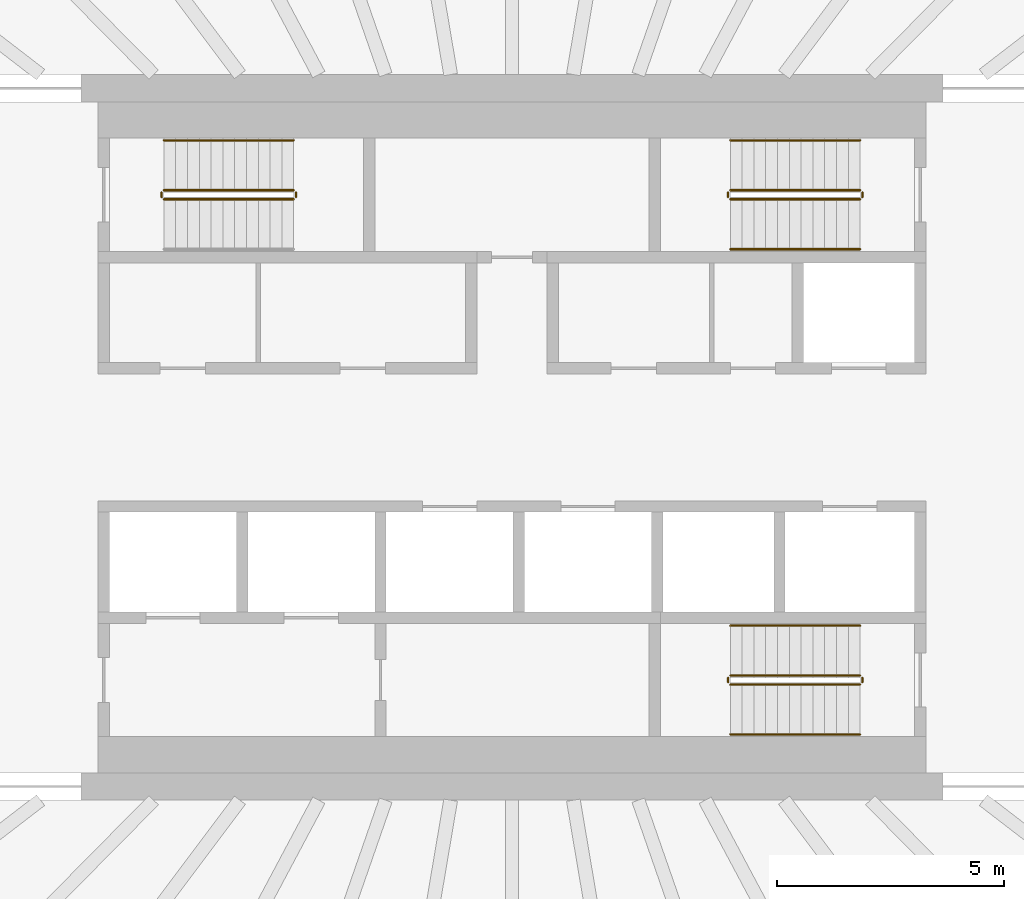
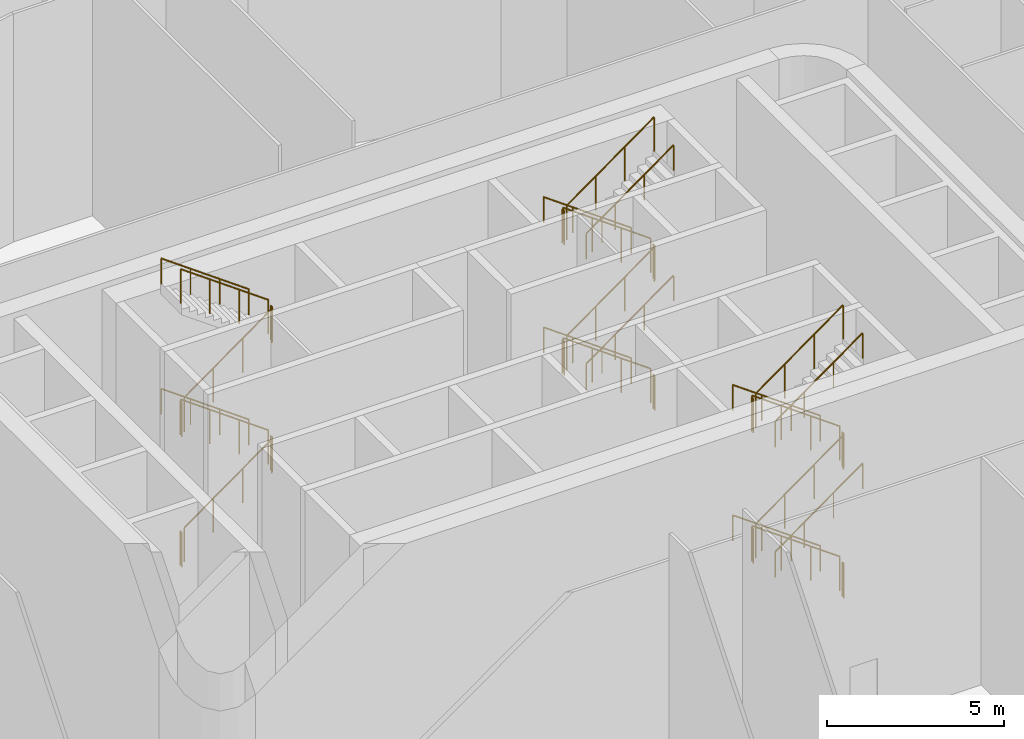
# One storey, part 30 of 35: 34 railings.
"""IFC4 building model written with IfcOpenShell, lengths in metres."""

from ifc_helpers import new_model, si_unit, direction, frame, origin, origin_2d, place, context, subcontext, project, spatial, circle, extrude, material, type_object, element, save


model = new_model("IFC4")

# Units and contexts
model_context = context("Model", 3, precision=1e-05, world=origin(), true_north=direction((0.0, 1.0)))
body_context = subcontext(model_context, "Body", "Model", "MODEL_VIEW")
ifc_project = project(units=[si_unit("LENGTHUNIT", "METRE"), si_unit("AREAUNIT", "SQUARE_METRE"), si_unit("VOLUMEUNIT", "CUBIC_METRE"), si_unit("PLANEANGLEUNIT", "RADIAN"), si_unit("MASSUNIT", "GRAM", prefix="KILO")], contexts=[model_context])

# Site, building, storey
site_placement = place(None, origin())
site = spatial("IfcSite", under=ifc_project, at=site_placement, CompositionType="ELEMENT")
building_placement = place(site_placement, origin())
building = spatial("IfcBuilding", under=site, at=building_placement, Name="Sahrelin Media Tower", CompositionType="ELEMENT")
storey_placement = place(building_placement, frame((0.0, 0.0, 8.0)))
storey = spatial("IfcBuildingStorey", under=building, at=storey_placement, Name="L01", CompositionType="ELEMENT", Elevation=8.0)

# Railings
ifc_material = material(Name="Steel S355", Category="steel")
railing_type_1 = type_object("IfcRailingType", Name="Stair guard 1200", PredefinedType="GUARDRAIL", material=ifc_material)
railing_1_placement = place(storey_placement, frame((-7.675048828125, 5.25, 0.1875)))
element("IfcRailing", 1, at=railing_1_placement, inside=storey, type_object=railing_type_1, Name="L01 ST1 stair guard 1", PredefinedType="GUARDRAIL", context=body_context, shape_type="SweptSolid", body=[
    extrude(circle(Radius=0.02392578125, at=origin_2d()), frame((0.0, 0.0, 1.17578125), z_axis=(0.811100754333, 0.0, 0.584906459462), x_axis=(0.0, 1.0, 0.0)), (0.0, 0.0, 1.0), 3.526123046875),
    extrude(circle(Radius=0.02099609375, at=origin_2d()), origin(), (0.0, 0.0, 1.0), 1.15185546875),
    extrude(circle(Radius=0.02099609375, at=origin_2d()), frame((0.953369140625, 0.0, 0.6875)), (0.0, 0.0, 1.0), 1.15185546875),
    extrude(circle(Radius=0.02099609375, at=origin_2d()), frame((1.90673828125, 0.0, 1.375)), (0.0, 0.0, 1.0), 1.15185546875),
    extrude(circle(Radius=0.02099609375, at=origin_2d()), frame((2.860107421875, 0.0, 2.0625)), (0.0, 0.0, 1.0), 1.15185546875),
])
railing_2_placement = place(storey_placement, frame((-4.764892578125, 5.300048828125, 2.25)))
element("IfcRailing", 2, at=railing_2_placement, inside=storey, type_object=railing_type_1, Name="L01 ST1 stair guard 2", PredefinedType="GUARDRAIL", context=body_context, shape_type="SweptSolid", body=[
    extrude(circle(Radius=0.02392578125, at=origin_2d()), frame((0.0, 0.0, 1.17578125), z_axis=(0.0, 1.0, 0.0), x_axis=(-1.0, 0.0, 0.0)), (0.0, 0.0, 1.0), 0.099853515625),
    extrude(circle(Radius=0.02099609375, at=origin_2d()), origin(), (0.0, 0.0, 1.0), 1.15185546875),
    extrude(circle(Radius=0.02099609375, at=origin_2d()), frame((0.0, 0.099853515625, 0.0)), (0.0, 0.0, 1.0), 1.15185546875),
])
railing_3_placement = place(storey_placement, frame((-4.81494140625, 5.449951171875, 2.4375)))
element("IfcRailing", 3, at=railing_3_placement, inside=storey, type_object=railing_type_1, Name="L01 ST1 stair guard 3", PredefinedType="GUARDRAIL", context=body_context, shape_type="SweptSolid", body=[
    extrude(circle(Radius=0.02392578125, at=origin_2d()), frame((0.0, 0.0, 1.17578125), z_axis=(-0.811100754333, 0.0, 0.584906459462), x_axis=(0.0, -1.0, 0.0)), (0.0, 0.0, 1.0), 3.526123046875),
    extrude(circle(Radius=0.02099609375, at=origin_2d()), origin(), (0.0, 0.0, 1.0), 1.15185546875),
    extrude(circle(Radius=0.02099609375, at=origin_2d()), frame((-0.953369140625, 0.0, 0.6875)), (0.0, 0.0, 1.0), 1.15185546875),
    extrude(circle(Radius=0.02099609375, at=origin_2d()), frame((-1.90673828125, 0.0, 1.375)), (0.0, 0.0, 1.0), 1.15185546875),
    extrude(circle(Radius=0.02099609375, at=origin_2d()), frame((-2.860107421875, 0.0, 2.0625)), (0.0, 0.0, 1.0), 1.15185546875),
])
railing_4_placement = place(storey_placement, frame((-7.72509765625, 5.300048828125, 4.5)))
element("IfcRailing", 4, at=railing_4_placement, inside=storey, type_object=railing_type_1, Name="L01 ST1 stair guard 4", PredefinedType="GUARDRAIL", context=body_context, shape_type="SweptSolid", body=[
    extrude(circle(Radius=0.02392578125, at=origin_2d()), frame((0.0, 0.0, 1.17578125), z_axis=(0.0, 1.0, 0.0), x_axis=(-1.0, 0.0, 0.0)), (0.0, 0.0, 1.0), 0.099853515625),
    extrude(circle(Radius=0.02099609375, at=origin_2d()), origin(), (0.0, 0.0, 1.0), 1.15185546875),
    extrude(circle(Radius=0.02099609375, at=origin_2d()), frame((0.0, 0.099853515625, 0.0)), (0.0, 0.0, 1.0), 1.15185546875),
])
railing_5_placement = place(storey_placement, frame((-7.675048828125, 5.25, 4.6875)))
element("IfcRailing", 5, at=railing_5_placement, inside=storey, type_object=railing_type_1, Name="L01 ST1 stair guard 5", PredefinedType="GUARDRAIL", context=body_context, shape_type="SweptSolid", body=[
    extrude(circle(Radius=0.02392578125, at=origin_2d()), frame((0.0, 0.0, 1.17578125), z_axis=(0.811100754333, 0.0, 0.584906459462), x_axis=(0.0, 1.0, 0.0)), (0.0, 0.0, 1.0), 3.526123046875),
    extrude(circle(Radius=0.02099609375, at=origin_2d()), origin(), (0.0, 0.0, 1.0), 1.15185546875),
    extrude(circle(Radius=0.02099609375, at=origin_2d()), frame((0.953369140625, 0.0, 0.6875)), (0.0, 0.0, 1.0), 1.15185546875),
    extrude(circle(Radius=0.02099609375, at=origin_2d()), frame((1.90673828125, 0.0, 1.375)), (0.0, 0.0, 1.0), 1.15185546875),
    extrude(circle(Radius=0.02099609375, at=origin_2d()), frame((2.860107421875, 0.0, 2.0625)), (0.0, 0.0, 1.0), 1.15185546875),
])
railing_6_placement = place(storey_placement, frame((-4.764892578125, 5.300048828125, 6.75)))
element("IfcRailing", 6, at=railing_6_placement, inside=storey, type_object=railing_type_1, Name="L01 ST1 stair guard 6", PredefinedType="GUARDRAIL", context=body_context, shape_type="SweptSolid", body=[
    extrude(circle(Radius=0.02392578125, at=origin_2d()), frame((0.0, 0.0, 1.17578125), z_axis=(0.0, 1.0, 0.0), x_axis=(-1.0, 0.0, 0.0)), (0.0, 0.0, 1.0), 0.099853515625),
    extrude(circle(Radius=0.02099609375, at=origin_2d()), origin(), (0.0, 0.0, 1.0), 1.15185546875),
    extrude(circle(Radius=0.02099609375, at=origin_2d()), frame((0.0, 0.099853515625, 0.0)), (0.0, 0.0, 1.0), 1.15185546875),
])
railing_7_placement = place(storey_placement, frame((-4.81494140625, 5.449951171875, 6.9375)))
element("IfcRailing", 7, at=railing_7_placement, inside=storey, type_object=railing_type_1, Name="L01 ST1 stair guard 7", PredefinedType="GUARDRAIL", context=body_context, shape_type="SweptSolid", body=[
    extrude(circle(Radius=0.02392578125, at=origin_2d()), frame((0.0, 0.0, 1.17578125), z_axis=(-0.811100754333, 0.0, 0.584906459462), x_axis=(0.0, -1.0, 0.0)), (0.0, 0.0, 1.0), 3.526123046875),
    extrude(circle(Radius=0.02099609375, at=origin_2d()), origin(), (0.0, 0.0, 1.0), 1.15185546875),
    extrude(circle(Radius=0.02099609375, at=origin_2d()), frame((-0.953369140625, 0.0, 0.6875)), (0.0, 0.0, 1.0), 1.15185546875),
    extrude(circle(Radius=0.02099609375, at=origin_2d()), frame((-1.90673828125, 0.0, 1.375)), (0.0, 0.0, 1.0), 1.15185546875),
    extrude(circle(Radius=0.02099609375, at=origin_2d()), frame((-2.860107421875, 0.0, 2.0625)), (0.0, 0.0, 1.0), 1.15185546875),
])
railing_8_placement = place(storey_placement, frame((-7.72509765625, 5.300048828125, 0.0)))
element("IfcRailing", 8, at=railing_8_placement, inside=storey, type_object=railing_type_1, Name="L01 ST1 stair guard 8", PredefinedType="GUARDRAIL", context=body_context, shape_type="SweptSolid", body=[
    extrude(circle(Radius=0.02392578125, at=origin_2d()), frame((0.0, 0.0, 1.17578125), z_axis=(0.0, 1.0, 0.0), x_axis=(-1.0, 0.0, 0.0)), (0.0, 0.0, 1.0), 0.099853515625),
    extrude(circle(Radius=0.02099609375, at=origin_2d()), origin(), (0.0, 0.0, 1.0), 1.15185546875),
    extrude(circle(Radius=0.02099609375, at=origin_2d()), frame((0.0, 0.099853515625, 0.0)), (0.0, 0.0, 1.0), 1.15185546875),
])
railing_9_placement = place(storey_placement, frame((7.675048828125, 5.449951171875, 0.1875)))
element("IfcRailing", 9, at=railing_9_placement, inside=storey, type_object=railing_type_1, Name="L01 ST3 stair guard 1", PredefinedType="GUARDRAIL", context=body_context, shape_type="SweptSolid", body=[
    extrude(circle(Radius=0.02392578125, at=origin_2d()), frame((0.0, 0.0, 1.17578125), z_axis=(-0.811100754333, 0.0, 0.584906459462), x_axis=(0.0, -1.0, 0.0)), (0.0, 0.0, 1.0), 3.526123046875),
    extrude(circle(Radius=0.02099609375, at=origin_2d()), origin(), (0.0, 0.0, 1.0), 1.15185546875),
    extrude(circle(Radius=0.02099609375, at=origin_2d()), frame((-0.953369140625, 0.0, 0.6875)), (0.0, 0.0, 1.0), 1.15185546875),
    extrude(circle(Radius=0.02099609375, at=origin_2d()), frame((-1.90673828125, 0.0, 1.375)), (0.0, 0.0, 1.0), 1.15185546875),
    extrude(circle(Radius=0.02099609375, at=origin_2d()), frame((-2.860107421875, 0.0, 2.0625)), (0.0, 0.0, 1.0), 1.15185546875),
])
railing_10_placement = place(storey_placement, frame((4.764892578125, 5.39990234375, 2.25)))
element("IfcRailing", 10, at=railing_10_placement, inside=storey, type_object=railing_type_1, Name="L01 ST3 stair guard 2", PredefinedType="GUARDRAIL", context=body_context, shape_type="SweptSolid", body=[
    extrude(circle(Radius=0.02392578125, at=origin_2d()), frame((0.0, 0.0, 1.17578125), z_axis=(0.0, -1.0, 0.0), x_axis=(1.0, 0.0, 0.0)), (0.0, 0.0, 1.0), 0.099853515625),
    extrude(circle(Radius=0.02099609375, at=origin_2d()), origin(), (0.0, 0.0, 1.0), 1.15185546875),
    extrude(circle(Radius=0.02099609375, at=origin_2d()), frame((0.0, -0.099853515625, 0.0)), (0.0, 0.0, 1.0), 1.15185546875),
])
railing_11_placement = place(storey_placement, frame((4.81494140625, 5.25, 2.4375)))
element("IfcRailing", 11, at=railing_11_placement, inside=storey, type_object=railing_type_1, Name="L01 ST3 stair guard 3", PredefinedType="GUARDRAIL", context=body_context, shape_type="SweptSolid", body=[
    extrude(circle(Radius=0.02392578125, at=origin_2d()), frame((0.0, 0.0, 1.17578125), z_axis=(0.811100754333, 0.0, 0.584906459462), x_axis=(0.0, 1.0, 0.0)), (0.0, 0.0, 1.0), 3.526123046875),
    extrude(circle(Radius=0.02099609375, at=origin_2d()), origin(), (0.0, 0.0, 1.0), 1.15185546875),
    extrude(circle(Radius=0.02099609375, at=origin_2d()), frame((0.953369140625, 0.0, 0.6875)), (0.0, 0.0, 1.0), 1.15185546875),
    extrude(circle(Radius=0.02099609375, at=origin_2d()), frame((1.90673828125, 0.0, 1.375)), (0.0, 0.0, 1.0), 1.15185546875),
    extrude(circle(Radius=0.02099609375, at=origin_2d()), frame((2.860107421875, 0.0, 2.0625)), (0.0, 0.0, 1.0), 1.15185546875),
])
railing_12_placement = place(storey_placement, frame((7.72509765625, 5.39990234375, 4.5)))
element("IfcRailing", 12, at=railing_12_placement, inside=storey, type_object=railing_type_1, Name="L01 ST3 stair guard 4", PredefinedType="GUARDRAIL", context=body_context, shape_type="SweptSolid", body=[
    extrude(circle(Radius=0.02392578125, at=origin_2d()), frame((0.0, 0.0, 1.17578125), z_axis=(0.0, -1.0, 0.0), x_axis=(1.0, 0.0, 0.0)), (0.0, 0.0, 1.0), 0.099853515625),
    extrude(circle(Radius=0.02099609375, at=origin_2d()), origin(), (0.0, 0.0, 1.0), 1.15185546875),
    extrude(circle(Radius=0.02099609375, at=origin_2d()), frame((0.0, -0.099853515625, 0.0)), (0.0, 0.0, 1.0), 1.15185546875),
])
railing_13_placement = place(storey_placement, frame((7.675048828125, 5.449951171875, 4.6875)))
element("IfcRailing", 13, at=railing_13_placement, inside=storey, type_object=railing_type_1, Name="L01 ST3 stair guard 5", PredefinedType="GUARDRAIL", context=body_context, shape_type="SweptSolid", body=[
    extrude(circle(Radius=0.02392578125, at=origin_2d()), frame((0.0, 0.0, 1.17578125), z_axis=(-0.811100754333, 0.0, 0.584906459462), x_axis=(0.0, -1.0, 0.0)), (0.0, 0.0, 1.0), 3.526123046875),
    extrude(circle(Radius=0.02099609375, at=origin_2d()), origin(), (0.0, 0.0, 1.0), 1.15185546875),
    extrude(circle(Radius=0.02099609375, at=origin_2d()), frame((-0.953369140625, 0.0, 0.6875)), (0.0, 0.0, 1.0), 1.15185546875),
    extrude(circle(Radius=0.02099609375, at=origin_2d()), frame((-1.90673828125, 0.0, 1.375)), (0.0, 0.0, 1.0), 1.15185546875),
    extrude(circle(Radius=0.02099609375, at=origin_2d()), frame((-2.860107421875, 0.0, 2.0625)), (0.0, 0.0, 1.0), 1.15185546875),
])
railing_14_placement = place(storey_placement, frame((4.764892578125, 5.39990234375, 6.75)))
element("IfcRailing", 14, at=railing_14_placement, inside=storey, type_object=railing_type_1, Name="L01 ST3 stair guard 6", PredefinedType="GUARDRAIL", context=body_context, shape_type="SweptSolid", body=[
    extrude(circle(Radius=0.02392578125, at=origin_2d()), frame((0.0, 0.0, 1.17578125), z_axis=(0.0, -1.0, 0.0), x_axis=(1.0, 0.0, 0.0)), (0.0, 0.0, 1.0), 0.099853515625),
    extrude(circle(Radius=0.02099609375, at=origin_2d()), origin(), (0.0, 0.0, 1.0), 1.15185546875),
    extrude(circle(Radius=0.02099609375, at=origin_2d()), frame((0.0, -0.099853515625, 0.0)), (0.0, 0.0, 1.0), 1.15185546875),
])
railing_15_placement = place(storey_placement, frame((4.81494140625, 5.25, 6.9375)))
element("IfcRailing", 15, at=railing_15_placement, inside=storey, type_object=railing_type_1, Name="L01 ST3 stair guard 7", PredefinedType="GUARDRAIL", context=body_context, shape_type="SweptSolid", body=[
    extrude(circle(Radius=0.02392578125, at=origin_2d()), frame((0.0, 0.0, 1.17578125), z_axis=(0.811100754333, 0.0, 0.584906459462), x_axis=(0.0, 1.0, 0.0)), (0.0, 0.0, 1.0), 3.526123046875),
    extrude(circle(Radius=0.02099609375, at=origin_2d()), origin(), (0.0, 0.0, 1.0), 1.15185546875),
    extrude(circle(Radius=0.02099609375, at=origin_2d()), frame((0.953369140625, 0.0, 0.6875)), (0.0, 0.0, 1.0), 1.15185546875),
    extrude(circle(Radius=0.02099609375, at=origin_2d()), frame((1.90673828125, 0.0, 1.375)), (0.0, 0.0, 1.0), 1.15185546875),
    extrude(circle(Radius=0.02099609375, at=origin_2d()), frame((2.860107421875, 0.0, 2.0625)), (0.0, 0.0, 1.0), 1.15185546875),
])
railing_16_placement = place(storey_placement, frame((7.72509765625, 5.39990234375, 0.0)))
element("IfcRailing", 16, at=railing_16_placement, inside=storey, type_object=railing_type_1, Name="L01 ST3 stair guard 8", PredefinedType="GUARDRAIL", context=body_context, shape_type="SweptSolid", body=[
    extrude(circle(Radius=0.02392578125, at=origin_2d()), frame((0.0, 0.0, 1.17578125), z_axis=(0.0, -1.0, 0.0), x_axis=(1.0, 0.0, 0.0)), (0.0, 0.0, 1.0), 0.099853515625),
    extrude(circle(Radius=0.02099609375, at=origin_2d()), origin(), (0.0, 0.0, 1.0), 1.15185546875),
    extrude(circle(Radius=0.02099609375, at=origin_2d()), frame((0.0, -0.099853515625, 0.0)), (0.0, 0.0, 1.0), 1.15185546875),
])
railing_17_placement = place(storey_placement, frame((7.675048828125, -5.25, 0.1875)))
element("IfcRailing", 17, at=railing_17_placement, inside=storey, type_object=railing_type_1, Name="L01 ST2 stair guard 1", PredefinedType="GUARDRAIL", context=body_context, shape_type="SweptSolid", body=[
    extrude(circle(Radius=0.02392578125, at=origin_2d()), frame((0.0, 0.0, 1.17578125), z_axis=(-0.811100754333, 0.0, 0.584906459462), x_axis=(0.0, -1.0, 0.0)), (0.0, 0.0, 1.0), 3.526123046875),
    extrude(circle(Radius=0.02099609375, at=origin_2d()), origin(), (0.0, 0.0, 1.0), 1.15185546875),
    extrude(circle(Radius=0.02099609375, at=origin_2d()), frame((-0.953369140625, 0.0, 0.6875)), (0.0, 0.0, 1.0), 1.15185546875),
    extrude(circle(Radius=0.02099609375, at=origin_2d()), frame((-1.90673828125, 0.0, 1.375)), (0.0, 0.0, 1.0), 1.15185546875),
    extrude(circle(Radius=0.02099609375, at=origin_2d()), frame((-2.860107421875, 0.0, 2.0625)), (0.0, 0.0, 1.0), 1.15185546875),
])
railing_18_placement = place(storey_placement, frame((4.764892578125, -5.300048828125, 2.25)))
element("IfcRailing", 18, at=railing_18_placement, inside=storey, type_object=railing_type_1, Name="L01 ST2 stair guard 2", PredefinedType="GUARDRAIL", context=body_context, shape_type="SweptSolid", body=[
    extrude(circle(Radius=0.02392578125, at=origin_2d()), frame((0.0, 0.0, 1.17578125), z_axis=(0.0, -1.0, 0.0), x_axis=(1.0, 0.0, 0.0)), (0.0, 0.0, 1.0), 0.099853515625),
    extrude(circle(Radius=0.02099609375, at=origin_2d()), origin(), (0.0, 0.0, 1.0), 1.15185546875),
    extrude(circle(Radius=0.02099609375, at=origin_2d()), frame((0.0, -0.099853515625, 0.0)), (0.0, 0.0, 1.0), 1.15185546875),
])
railing_19_placement = place(storey_placement, frame((4.81494140625, -5.449951171875, 2.4375)))
element("IfcRailing", 19, at=railing_19_placement, inside=storey, type_object=railing_type_1, Name="L01 ST2 stair guard 3", PredefinedType="GUARDRAIL", context=body_context, shape_type="SweptSolid", body=[
    extrude(circle(Radius=0.02392578125, at=origin_2d()), frame((0.0, 0.0, 1.17578125), z_axis=(0.811100754333, 0.0, 0.584906459462), x_axis=(0.0, 1.0, 0.0)), (0.0, 0.0, 1.0), 3.526123046875),
    extrude(circle(Radius=0.02099609375, at=origin_2d()), origin(), (0.0, 0.0, 1.0), 1.15185546875),
    extrude(circle(Radius=0.02099609375, at=origin_2d()), frame((0.953369140625, 0.0, 0.6875)), (0.0, 0.0, 1.0), 1.15185546875),
    extrude(circle(Radius=0.02099609375, at=origin_2d()), frame((1.90673828125, 0.0, 1.375)), (0.0, 0.0, 1.0), 1.15185546875),
    extrude(circle(Radius=0.02099609375, at=origin_2d()), frame((2.860107421875, 0.0, 2.0625)), (0.0, 0.0, 1.0), 1.15185546875),
])
railing_20_placement = place(storey_placement, frame((7.72509765625, -5.300048828125, 4.5)))
element("IfcRailing", 20, at=railing_20_placement, inside=storey, type_object=railing_type_1, Name="L01 ST2 stair guard 4", PredefinedType="GUARDRAIL", context=body_context, shape_type="SweptSolid", body=[
    extrude(circle(Radius=0.02392578125, at=origin_2d()), frame((0.0, 0.0, 1.17578125), z_axis=(0.0, -1.0, 0.0), x_axis=(1.0, 0.0, 0.0)), (0.0, 0.0, 1.0), 0.099853515625),
    extrude(circle(Radius=0.02099609375, at=origin_2d()), origin(), (0.0, 0.0, 1.0), 1.15185546875),
    extrude(circle(Radius=0.02099609375, at=origin_2d()), frame((0.0, -0.099853515625, 0.0)), (0.0, 0.0, 1.0), 1.15185546875),
])
railing_21_placement = place(storey_placement, frame((7.675048828125, -5.25, 4.6875)))
element("IfcRailing", 21, at=railing_21_placement, inside=storey, type_object=railing_type_1, Name="L01 ST2 stair guard 5", PredefinedType="GUARDRAIL", context=body_context, shape_type="SweptSolid", body=[
    extrude(circle(Radius=0.02392578125, at=origin_2d()), frame((0.0, 0.0, 1.17578125), z_axis=(-0.811100754333, 0.0, 0.584906459462), x_axis=(0.0, -1.0, 0.0)), (0.0, 0.0, 1.0), 3.526123046875),
    extrude(circle(Radius=0.02099609375, at=origin_2d()), origin(), (0.0, 0.0, 1.0), 1.15185546875),
    extrude(circle(Radius=0.02099609375, at=origin_2d()), frame((-0.953369140625, 0.0, 0.6875)), (0.0, 0.0, 1.0), 1.15185546875),
    extrude(circle(Radius=0.02099609375, at=origin_2d()), frame((-1.90673828125, 0.0, 1.375)), (0.0, 0.0, 1.0), 1.15185546875),
    extrude(circle(Radius=0.02099609375, at=origin_2d()), frame((-2.860107421875, 0.0, 2.0625)), (0.0, 0.0, 1.0), 1.15185546875),
])
railing_22_placement = place(storey_placement, frame((4.764892578125, -5.300048828125, 6.75)))
element("IfcRailing", 22, at=railing_22_placement, inside=storey, type_object=railing_type_1, Name="L01 ST2 stair guard 6", PredefinedType="GUARDRAIL", context=body_context, shape_type="SweptSolid", body=[
    extrude(circle(Radius=0.02392578125, at=origin_2d()), frame((0.0, 0.0, 1.17578125), z_axis=(0.0, -1.0, 0.0), x_axis=(1.0, 0.0, 0.0)), (0.0, 0.0, 1.0), 0.099853515625),
    extrude(circle(Radius=0.02099609375, at=origin_2d()), origin(), (0.0, 0.0, 1.0), 1.15185546875),
    extrude(circle(Radius=0.02099609375, at=origin_2d()), frame((0.0, -0.099853515625, 0.0)), (0.0, 0.0, 1.0), 1.15185546875),
])
railing_23_placement = place(storey_placement, frame((4.81494140625, -5.449951171875, 6.9375)))
element("IfcRailing", 23, at=railing_23_placement, inside=storey, type_object=railing_type_1, Name="L01 ST2 stair guard 7", PredefinedType="GUARDRAIL", context=body_context, shape_type="SweptSolid", body=[
    extrude(circle(Radius=0.02392578125, at=origin_2d()), frame((0.0, 0.0, 1.17578125), z_axis=(0.811100754333, 0.0, 0.584906459462), x_axis=(0.0, 1.0, 0.0)), (0.0, 0.0, 1.0), 3.526123046875),
    extrude(circle(Radius=0.02099609375, at=origin_2d()), origin(), (0.0, 0.0, 1.0), 1.15185546875),
    extrude(circle(Radius=0.02099609375, at=origin_2d()), frame((0.953369140625, 0.0, 0.6875)), (0.0, 0.0, 1.0), 1.15185546875),
    extrude(circle(Radius=0.02099609375, at=origin_2d()), frame((1.90673828125, 0.0, 1.375)), (0.0, 0.0, 1.0), 1.15185546875),
    extrude(circle(Radius=0.02099609375, at=origin_2d()), frame((2.860107421875, 0.0, 2.0625)), (0.0, 0.0, 1.0), 1.15185546875),
])
railing_24_placement = place(storey_placement, frame((7.72509765625, -5.300048828125, 0.0)))
element("IfcRailing", 24, at=railing_24_placement, inside=storey, type_object=railing_type_1, Name="L01 ST2 stair guard 8", PredefinedType="GUARDRAIL", context=body_context, shape_type="SweptSolid", body=[
    extrude(circle(Radius=0.02392578125, at=origin_2d()), frame((0.0, 0.0, 1.17578125), z_axis=(0.0, -1.0, 0.0), x_axis=(1.0, 0.0, 0.0)), (0.0, 0.0, 1.0), 0.099853515625),
    extrude(circle(Radius=0.02099609375, at=origin_2d()), origin(), (0.0, 0.0, 1.0), 1.15185546875),
    extrude(circle(Radius=0.02099609375, at=origin_2d()), frame((0.0, -0.099853515625, 0.0)), (0.0, 0.0, 1.0), 1.15185546875),
])
railing_type_2 = type_object("IfcRailingType", Name="Stair handrail 900", PredefinedType="HANDRAIL", material=ifc_material)
for number, where, name in (
    (25, (-4.81494140625, 6.550048828125, 2.4375), "L01 ST1 stair handrail 2"),
    (26, (-4.81494140625, 6.550048828125, 6.9375), "L01 ST1 stair handrail 4"),
    (27, (7.675048828125, 6.550048828125, 0.1875), "L01 ST3 stair handrail 1"),
):
    element("IfcRailing", number, at=place(storey_placement, frame(where)), inside=storey, type_object=railing_type_2, Name=name, PredefinedType="HANDRAIL", context=body_context, shape_type="SweptSolid", body=[
        extrude(circle(Radius=0.02392578125, at=origin_2d()), frame((0.0, 0.0, 0.8759765625), z_axis=(-0.811100754333, 0.0, 0.584906459462), x_axis=(0.0, -1.0, 0.0)), (0.0, 0.0, 1.0), 3.526123046875),
        extrude(circle(Radius=0.02099609375, at=origin_2d()), origin(), (0.0, 0.0, 1.0), 0.851806640625),
        extrude(circle(Radius=0.02099609375, at=origin_2d()), frame((-0.953369140625, 0.0, 0.6875)), (0.0, 0.0, 1.0), 0.851806640625),
        extrude(circle(Radius=0.02099609375, at=origin_2d()), frame((-1.90673828125, 0.0, 1.375)), (0.0, 0.0, 1.0), 0.851806640625),
        extrude(circle(Radius=0.02099609375, at=origin_2d()), frame((-2.860107421875, 0.0, 2.0625)), (0.0, 0.0, 1.0), 0.851806640625),
    ])
railing_25_placement = place(storey_placement, frame((4.81494140625, 4.14990234375, 2.4375)))
element("IfcRailing", 28, at=railing_25_placement, inside=storey, type_object=railing_type_2, Name="L01 ST3 stair handrail 2", PredefinedType="HANDRAIL", context=body_context, shape_type="SweptSolid", body=[
    extrude(circle(Radius=0.02392578125, at=origin_2d()), frame((0.0, 0.0, 0.8759765625), z_axis=(0.811100754333, 0.0, 0.584906459462), x_axis=(0.0, 1.0, 0.0)), (0.0, 0.0, 1.0), 3.526123046875),
    extrude(circle(Radius=0.02099609375, at=origin_2d()), origin(), (0.0, 0.0, 1.0), 0.851806640625),
    extrude(circle(Radius=0.02099609375, at=origin_2d()), frame((0.953369140625, 0.0, 0.6875)), (0.0, 0.0, 1.0), 0.851806640625),
    extrude(circle(Radius=0.02099609375, at=origin_2d()), frame((1.90673828125, 0.0, 1.375)), (0.0, 0.0, 1.0), 0.851806640625),
    extrude(circle(Radius=0.02099609375, at=origin_2d()), frame((2.860107421875, 0.0, 2.0625)), (0.0, 0.0, 1.0), 0.851806640625),
])
railing_26_placement = place(storey_placement, frame((7.675048828125, 6.550048828125, 4.6875)))
element("IfcRailing", 29, at=railing_26_placement, inside=storey, type_object=railing_type_2, Name="L01 ST3 stair handrail 3", PredefinedType="HANDRAIL", context=body_context, shape_type="SweptSolid", body=[
    extrude(circle(Radius=0.02392578125, at=origin_2d()), frame((0.0, 0.0, 0.8759765625), z_axis=(-0.811100754333, 0.0, 0.584906459462), x_axis=(0.0, -1.0, 0.0)), (0.0, 0.0, 1.0), 3.526123046875),
    extrude(circle(Radius=0.02099609375, at=origin_2d()), origin(), (0.0, 0.0, 1.0), 0.851806640625),
    extrude(circle(Radius=0.02099609375, at=origin_2d()), frame((-0.953369140625, 0.0, 0.6875)), (0.0, 0.0, 1.0), 0.851806640625),
    extrude(circle(Radius=0.02099609375, at=origin_2d()), frame((-1.90673828125, 0.0, 1.375)), (0.0, 0.0, 1.0), 0.851806640625),
    extrude(circle(Radius=0.02099609375, at=origin_2d()), frame((-2.860107421875, 0.0, 2.0625)), (0.0, 0.0, 1.0), 0.851806640625),
])
railing_27_placement = place(storey_placement, frame((4.81494140625, 4.14990234375, 6.9375)))
element("IfcRailing", 30, at=railing_27_placement, inside=storey, type_object=railing_type_2, Name="L01 ST3 stair handrail 4", PredefinedType="HANDRAIL", context=body_context, shape_type="SweptSolid", body=[
    extrude(circle(Radius=0.02392578125, at=origin_2d()), frame((0.0, 0.0, 0.8759765625), z_axis=(0.811100754333, 0.0, 0.584906459462), x_axis=(0.0, 1.0, 0.0)), (0.0, 0.0, 1.0), 3.526123046875),
    extrude(circle(Radius=0.02099609375, at=origin_2d()), origin(), (0.0, 0.0, 1.0), 0.851806640625),
    extrude(circle(Radius=0.02099609375, at=origin_2d()), frame((0.953369140625, 0.0, 0.6875)), (0.0, 0.0, 1.0), 0.851806640625),
    extrude(circle(Radius=0.02099609375, at=origin_2d()), frame((1.90673828125, 0.0, 1.375)), (0.0, 0.0, 1.0), 0.851806640625),
    extrude(circle(Radius=0.02099609375, at=origin_2d()), frame((2.860107421875, 0.0, 2.0625)), (0.0, 0.0, 1.0), 0.851806640625),
])
railing_28_placement = place(storey_placement, frame((7.675048828125, -4.14990234375, 0.1875)))
element("IfcRailing", 31, at=railing_28_placement, inside=storey, type_object=railing_type_2, Name="L01 ST2 stair handrail 1", PredefinedType="HANDRAIL", context=body_context, shape_type="SweptSolid", body=[
    extrude(circle(Radius=0.02392578125, at=origin_2d()), frame((0.0, 0.0, 0.8759765625), z_axis=(-0.811100754333, 0.0, 0.584906459462), x_axis=(0.0, -1.0, 0.0)), (0.0, 0.0, 1.0), 3.526123046875),
    extrude(circle(Radius=0.02099609375, at=origin_2d()), origin(), (0.0, 0.0, 1.0), 0.851806640625),
    extrude(circle(Radius=0.02099609375, at=origin_2d()), frame((-0.953369140625, 0.0, 0.6875)), (0.0, 0.0, 1.0), 0.851806640625),
    extrude(circle(Radius=0.02099609375, at=origin_2d()), frame((-1.90673828125, 0.0, 1.375)), (0.0, 0.0, 1.0), 0.851806640625),
    extrude(circle(Radius=0.02099609375, at=origin_2d()), frame((-2.860107421875, 0.0, 2.0625)), (0.0, 0.0, 1.0), 0.851806640625),
])
railing_29_placement = place(storey_placement, frame((4.81494140625, -6.550048828125, 2.4375)))
element("IfcRailing", 32, at=railing_29_placement, inside=storey, type_object=railing_type_2, Name="L01 ST2 stair handrail 2", PredefinedType="HANDRAIL", context=body_context, shape_type="SweptSolid", body=[
    extrude(circle(Radius=0.02392578125, at=origin_2d()), frame((0.0, 0.0, 0.8759765625), z_axis=(0.811100754333, 0.0, 0.584906459462), x_axis=(0.0, 1.0, 0.0)), (0.0, 0.0, 1.0), 3.526123046875),
    extrude(circle(Radius=0.02099609375, at=origin_2d()), origin(), (0.0, 0.0, 1.0), 0.851806640625),
    extrude(circle(Radius=0.02099609375, at=origin_2d()), frame((0.953369140625, 0.0, 0.6875)), (0.0, 0.0, 1.0), 0.851806640625),
    extrude(circle(Radius=0.02099609375, at=origin_2d()), frame((1.90673828125, 0.0, 1.375)), (0.0, 0.0, 1.0), 0.851806640625),
    extrude(circle(Radius=0.02099609375, at=origin_2d()), frame((2.860107421875, 0.0, 2.0625)), (0.0, 0.0, 1.0), 0.851806640625),
])
railing_30_placement = place(storey_placement, frame((7.675048828125, -4.14990234375, 4.6875)))
element("IfcRailing", 33, at=railing_30_placement, inside=storey, type_object=railing_type_2, Name="L01 ST2 stair handrail 3", PredefinedType="HANDRAIL", context=body_context, shape_type="SweptSolid", body=[
    extrude(circle(Radius=0.02392578125, at=origin_2d()), frame((0.0, 0.0, 0.8759765625), z_axis=(-0.811100754333, 0.0, 0.584906459462), x_axis=(0.0, -1.0, 0.0)), (0.0, 0.0, 1.0), 3.526123046875),
    extrude(circle(Radius=0.02099609375, at=origin_2d()), origin(), (0.0, 0.0, 1.0), 0.851806640625),
    extrude(circle(Radius=0.02099609375, at=origin_2d()), frame((-0.953369140625, 0.0, 0.6875)), (0.0, 0.0, 1.0), 0.851806640625),
    extrude(circle(Radius=0.02099609375, at=origin_2d()), frame((-1.90673828125, 0.0, 1.375)), (0.0, 0.0, 1.0), 0.851806640625),
    extrude(circle(Radius=0.02099609375, at=origin_2d()), frame((-2.860107421875, 0.0, 2.0625)), (0.0, 0.0, 1.0), 0.851806640625),
])
railing_31_placement = place(storey_placement, frame((4.81494140625, -6.550048828125, 6.9375)))
element("IfcRailing", 34, at=railing_31_placement, inside=storey, type_object=railing_type_2, Name="L01 ST2 stair handrail 4", PredefinedType="HANDRAIL", context=body_context, shape_type="SweptSolid", body=[
    extrude(circle(Radius=0.02392578125, at=origin_2d()), frame((0.0, 0.0, 0.8759765625), z_axis=(0.811100754333, 0.0, 0.584906459462), x_axis=(0.0, 1.0, 0.0)), (0.0, 0.0, 1.0), 3.526123046875),
    extrude(circle(Radius=0.02099609375, at=origin_2d()), origin(), (0.0, 0.0, 1.0), 0.851806640625),
    extrude(circle(Radius=0.02099609375, at=origin_2d()), frame((0.953369140625, 0.0, 0.6875)), (0.0, 0.0, 1.0), 0.851806640625),
    extrude(circle(Radius=0.02099609375, at=origin_2d()), frame((1.90673828125, 0.0, 1.375)), (0.0, 0.0, 1.0), 0.851806640625),
    extrude(circle(Radius=0.02099609375, at=origin_2d()), frame((2.860107421875, 0.0, 2.0625)), (0.0, 0.0, 1.0), 0.851806640625),
])

save(model, "model.ifc")
